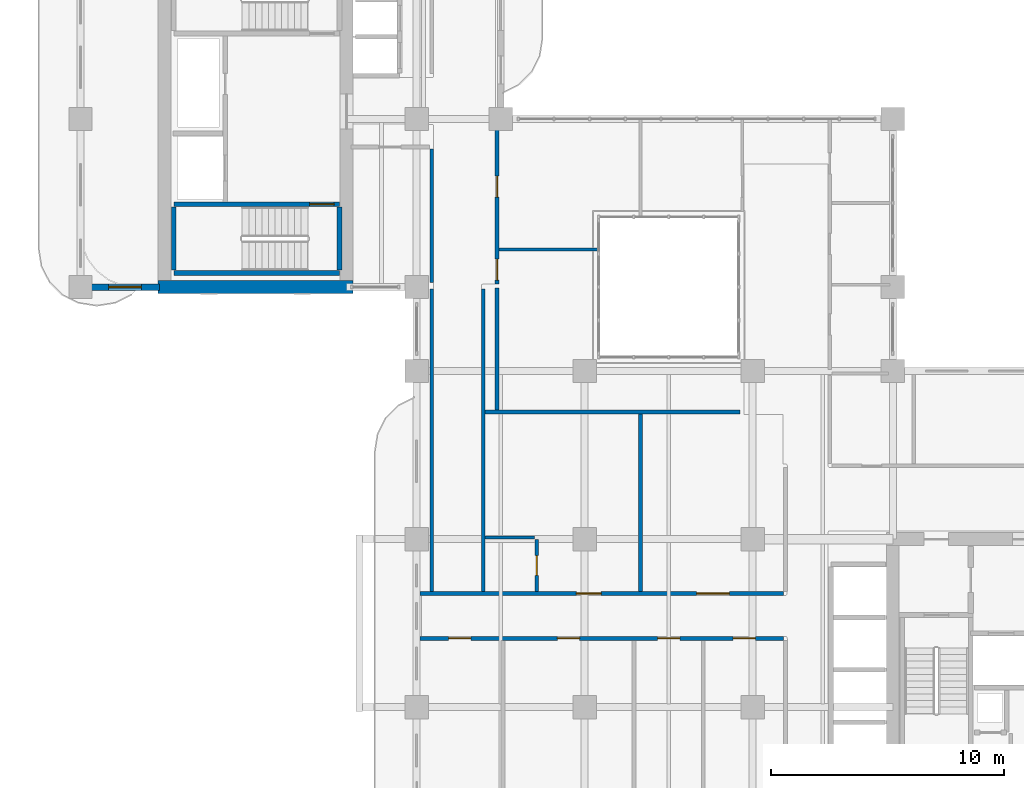
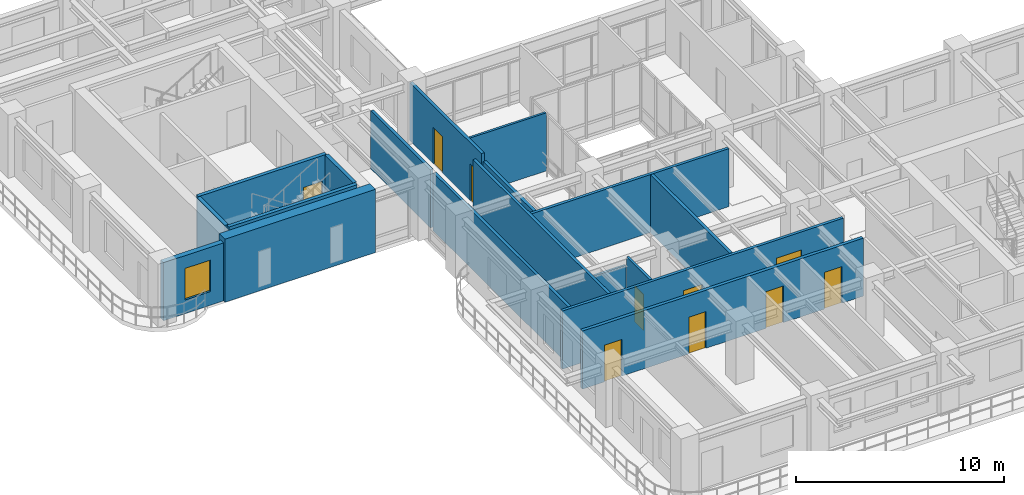
# One storey, part 11 of 21: 18 walls, 10 doors, 1 window, 11 openings.
"""IFC4 building model written with IfcOpenShell, lengths in metres."""

from ifc_helpers import new_model, si_unit, derived_unit, direction, frame, frame_2d, origin, place, context, subcontext, project, spatial, rectangle, extrude, source, transform, mapped, material, layer, layer_set, type_object, type_shapes, element, fill, save


model = new_model("IFC4")

# Units and contexts
model_context = context("Model", 3, precision=1e-05, world=origin(), true_north=direction((0.0, 1.0)))
body_context = subcontext(model_context, "Body", "Model", "MODEL_VIEW")
ifc_project = project(units=[si_unit("LENGTHUNIT", "METRE"), si_unit("AREAUNIT", "SQUARE_METRE"), si_unit("VOLUMEUNIT", "CUBIC_METRE"), si_unit("PLANEANGLEUNIT", "RADIAN"), si_unit("MASSUNIT", "GRAM", prefix="KILO"), si_unit("THERMODYNAMICTEMPERATUREUNIT", "KELVIN"), si_unit("POWERUNIT", "WATT"), derived_unit("THERMALTRANSMITTANCEUNIT", [(si_unit("POWERUNIT", "WATT"), 1), (si_unit("AREAUNIT", "SQUARE_METRE"), -1), (si_unit("THERMODYNAMICTEMPERATUREUNIT", "KELVIN"), -1)])], contexts=[model_context])

# Site, building, storey
site_placement = place(None, origin())
site = spatial("IfcSite", under=ifc_project, at=site_placement, CompositionType="ELEMENT")
building_placement = place(site_placement, origin())
building = spatial("IfcBuilding", under=site, at=building_placement, Name="Zahravan Archway Hotel and Residences", CompositionType="ELEMENT")
storey_placement = place(building_placement, frame((0.0, 0.0, 141.39990234375)))
storey = spatial("IfcBuildingStorey", under=building, at=storey_placement, Name="L35", CompositionType="ELEMENT", Elevation=141.39990234375)

# Wall
ifc_material_1 = material(Name="Concrete C70/85", Category="concrete")
ifc_layer_1 = layer(ifc_material_1, 0.550048828125, Name="Concrete C70/85", Category="concrete")
ifc_layer_set_1 = layer_set([ifc_layer_1], Name="Concrete C70/85")
wall_type_1 = type_object("IfcWallType", Name="CW-CORE-550", PredefinedType="SHEAR", material=ifc_layer_set_1)
wall_1_placement = place(storey_placement, frame((3.324951171875, 25.199951171875, 0.0), z_axis=(0.0, 0.0, 1.0), x_axis=(1.0, 0.0, 0.0)))
element("IfcWall", 1, at=wall_1_placement, inside=storey, type_object=wall_type_1, Name="L35 Core B Shear S Wall 550 mm", PredefinedType="SHEAR", context=body_context, shape_type="SweptSolid", body=[
    extrude(rectangle(XDim=8.35009765625, YDim=0.550048828125, at=frame_2d((4.175048828125, 0.0))), origin(), (0.0, 0.0, 1.0), 3.7001953125),
])

# Wall, opening, window
ifc_material_2 = material(Name="Honed Red-Ochre Sandstone & Insulated Block", Category="masonry")
ifc_layer_2 = layer(ifc_material_2, 0.280029296875, Name="Honed Red-Ochre Sandstone & Insulated Block", Category="masonry")
ifc_layer_set_2 = layer_set([ifc_layer_2], Name="Honed Red-Ochre Sandstone & Insulated Block")
wall_type_2 = type_object("IfcWallType", Name="EW-LOG-280", PredefinedType="SOLIDWALL", material=ifc_layer_set_2)
wall_2_placement = place(storey_placement, frame((0.0, 25.199951171875, 0.0), z_axis=(0.0, 0.0, 1.0), x_axis=(1.0, 0.0, 0.0)))
wall_2 = element("IfcWall", 2, at=wall_2_placement, inside=storey, type_object=wall_type_2, Name="L35 Exterior Sandstone Wall WB-SW", PredefinedType="SOLIDWALL", context=body_context, shape_type="SweptSolid", body=[
    extrude(rectangle(XDim=3.3798828125, YDim=0.280029296875, at=frame_2d((1.68994140625, 0.0))), origin(), (0.0, 0.0, 1.0), 3.400146484375),
])
opening_1_placement = place(wall_2_placement, frame((1.205078125, 0.0, 0.800048828125)))
opening_1 = element("IfcOpeningElement", 3, at=opening_1_placement, cuts=wall_2, Name="Opening W-03", PredefinedType="OPENING", context=body_context, shape_type="SweptSolid", body=[
    extrude(rectangle(XDim=1.39990234375, YDim=1.85009765625, at=frame_2d((0.699951171875, 0.925048828125))), frame((0.0, 0.14990234375, 0.0), z_axis=(0.0, -1.0, 0.0), x_axis=(1.0, 0.0, 0.0)), (0.0, 0.0, 1.0), 0.300048828125),
])
ifc_material_3 = material(Name="Bronze-Anodized Thermal-Break Aluminium & Low-E Glass", Category="aluminium")
window_type = type_object("IfcWindowType", Name="WIN-TWR-1400", PartitioningType="SINGLE_PANEL", PredefinedType="WINDOW", material=ifc_material_3)
shared_shape_1 = source(origin(), body_context, "Body", "SweptSolid", [
    extrude(rectangle(XDim=1.39990234375, YDim=1.85009765625, at=frame_2d((0.699951171875, 0.925048828125))), frame((0.0, 0.030029296875, 0.0), z_axis=(0.0, -1.0, 0.0), x_axis=(1.0, 0.0, 0.0)), (0.0, 0.0, 1.0), 0.06005859375),
])
type_shapes(window_type, [shared_shape_1])
window_placement = place(opening_1_placement, origin())
window = element("IfcWindow", 4, at=window_placement, inside=storey, type_object=window_type, Name="L35 Loggia Window 21", OverallHeight=1.85009765625, OverallWidth=1.39990234375, PartitioningType="SINGLE_PANEL", PredefinedType="WINDOW", context=body_context, shape_type="MappedRepresentation", body=[
    mapped(shared_shape_1, transform((0.0, 0.0, 0.0), scale=1.0)),
])
fill(opening_1, window)

# Wall, openings, doors
ifc_material_4 = material(Name="Fire-Rated Gypsum & Concrete Block", Category="concrete")
ifc_layer_3 = layer(ifc_material_4, 0.159912109375, Name="Fire-Rated Gypsum & Concrete Block", Category="concrete")
ifc_layer_set_3 = layer_set([ifc_layer_3], Name="Fire-Rated Gypsum & Concrete Block")
wall_type_3 = type_object("IfcWallType", Name="PW-CORR-160", PredefinedType="PARTITIONING", material=ifc_layer_set_3)
wall_3_placement = place(storey_placement, frame((14.548095703125, 12.070068359375, 0.0), z_axis=(0.0, 0.0, 1.0), x_axis=(1.0, 0.0, 0.0)))
wall_3 = element("IfcWall", 5, at=wall_3_placement, inside=storey, type_object=wall_type_3, Name="L35 Partition WA-CN", PredefinedType="PARTITIONING", context=body_context, shape_type="SweptSolid", body=[
    extrude(rectangle(XDim=15.56201171875, YDim=0.159912109375, at=frame_2d((7.781005859375, 0.0))), origin(), (0.0, 0.0, 1.0), 3.400146484375),
])
opening_2_placement = place(wall_3_placement, frame((6.701904296875, 0.0, 0.0)))
opening_2 = element("IfcOpeningElement", 6, at=opening_2_placement, cuts=wall_3, Name="Opening D-U1", PredefinedType="OPENING", context=body_context, shape_type="SweptSolid", body=[
    extrude(rectangle(XDim=1.050048828125, YDim=2.25, at=frame_2d((0.52490234375, 1.125))), frame((0.0, 0.08984375, 0.0), z_axis=(0.0, -1.0, 0.0), x_axis=(1.0, 0.0, 0.0)), (0.0, 0.0, 1.0), 0.179931640625),
])
opening_3_placement = place(wall_3_placement, frame((11.85205078125, 0.0, 0.0)))
opening_3 = element("IfcOpeningElement", 7, at=opening_3_placement, cuts=wall_3, Name="Opening D-P1", PredefinedType="OPENING", context=body_context, shape_type="SweptSolid", body=[
    extrude(rectangle(XDim=1.39990234375, YDim=2.35009765625, at=frame_2d((0.699951171875, 1.175048828125))), frame((0.0, 0.08984375, 0.0), z_axis=(0.0, -1.0, 0.0), x_axis=(1.0, 0.0, 0.0)), (0.0, 0.0, 1.0), 0.179931640625),
])
ifc_material_5 = material(Name="Bronze-Anodized Glazed Aluminium", Category="aluminium")
door_type_1 = type_object("IfcDoorType", Name="ID-PUBLIC-1400", OperationType="DOUBLE_DOOR_SINGLE_SWING", PredefinedType="DOOR", material=ifc_material_5)
shared_shape_2 = source(origin(), body_context, "Body", "SweptSolid", [
    extrude(rectangle(XDim=1.39990234375, YDim=2.35009765625, at=frame_2d((0.699951171875, 1.175048828125))), frame((0.0, 0.02490234375, 0.0), z_axis=(0.0, -1.0, 0.0), x_axis=(1.0, 0.0, 0.0)), (0.0, 0.0, 1.0), 0.050048828125),
])
type_shapes(door_type_1, [shared_shape_2])
door_1_placement = place(opening_3_placement, origin())
door_1 = element("IfcDoor", 8, at=door_1_placement, inside=storey, type_object=door_type_1, Name="L35 Atrium Dining Door", OperationType="DOUBLE_DOOR_SINGLE_SWING", OverallHeight=2.35009765625, OverallWidth=1.39990234375, PredefinedType="DOOR", context=body_context, shape_type="MappedRepresentation", body=[
    mapped(shared_shape_2, transform((0.0, 0.0, 0.0), scale=1.0)),
])
fill(opening_3, door_1)
ifc_material_6 = material(Name="Hardwood Veneer Timber", Category="wood")
door_type_2 = type_object("IfcDoorType", Name="ID-UNIT-1050", OperationType="NOTDEFINED", PredefinedType="DOOR", material=ifc_material_6)
shared_shape_3 = source(origin(), body_context, "Body", "SweptSolid", [
    extrude(rectangle(XDim=1.050048828125, YDim=2.25, at=frame_2d((0.52490234375, 1.125))), frame((0.0, 0.02490234375, 0.0), z_axis=(0.0, -1.0, 0.0), x_axis=(1.0, 0.0, 0.0)), (0.0, 0.0, 1.0), 0.050048828125),
])
type_shapes(door_type_2, [shared_shape_3])
door_2_placement = place(opening_2_placement, origin())
door_2 = element("IfcDoor", 9, at=door_2_placement, inside=storey, type_object=door_type_2, Name="L35 Hotel Guestroom 52 Entrance Door", OperationType="SINGLE_SWING_RIGHT", OverallHeight=2.25, OverallWidth=1.050048828125, PredefinedType="DOOR", context=body_context, shape_type="MappedRepresentation", body=[
    mapped(shared_shape_3, transform((0.0, 0.0, 0.0), scale=1.0)),
])
fill(opening_2, door_2)

# Walls
for number, where, z_axis, x_axis, name in (
    (10, (15.050048828125, 12.159912109375, 0.0), (0.0, 0.0, 1.0), (0.0, 1.0, 0.0), "L35 Partition LNK-W"),
    (11, (17.25, 12.159912109375, 0.0), (0.0, 0.0, 1.0), (0.0, 1.0, 0.0), "L35 Partition LNK-E"),
):
    element("IfcWall", number, at=place(storey_placement, frame(where, z_axis=z_axis, x_axis=x_axis)), inside=storey, type_object=wall_type_3, Name=name, PredefinedType="PARTITIONING", context=body_context, shape_type="SweptSolid", body=[
        extrude(rectangle(XDim=12.9501953125, YDim=0.159912109375, at=frame_2d((6.47509765625, 0.0))), origin(), (0.0, 0.0, 1.0), 3.400146484375),
    ])
wall_4_placement = place(storey_placement, frame((15.050048828125, 25.389892578125, 0.0), z_axis=(0.0, 0.0, 1.0), x_axis=(0.0, 1.0, 0.0)))
element("IfcWall", 12, at=wall_4_placement, inside=storey, type_object=wall_type_3, Name="L35 Partition FB1-E", PredefinedType="PARTITIONING", context=body_context, shape_type="SweptSolid", body=[
    extrude(rectangle(XDim=5.72021484375, YDim=0.159912109375, at=frame_2d((2.860107421875, 0.0))), origin(), (0.0, 0.0, 1.0), 3.400146484375),
])
wall_5_placement = place(storey_placement, frame((17.340087890625, 19.85009765625, 0.0), z_axis=(0.0, 0.0, 1.0), x_axis=(1.0, 0.0, 0.0)))
element("IfcWall", 13, at=wall_5_placement, inside=storey, type_object=wall_type_3, Name="L35 Partition ATR-S", PredefinedType="PARTITIONING", context=body_context, shape_type="SweptSolid", body=[
    extrude(rectangle(XDim=10.919921875, YDim=0.159912109375, at=frame_2d((5.4599609375, 0.0))), origin(), (0.0, 0.0, 1.0), 3.400146484375),
])

# Wall, openings, doors
ifc_layer_4 = layer(ifc_material_4, 0.179931640625, Name="Fire-Rated Gypsum & Concrete Block", Category="concrete")
ifc_layer_set_4 = layer_set([ifc_layer_4], Name="Fire-Rated Gypsum & Concrete Block")
wall_type_4 = type_object("IfcWallType", Name="PW-CORR-180", PredefinedType="PARTITIONING", material=ifc_layer_set_4)
wall_6_placement = place(storey_placement, frame((14.548095703125, 10.14990234375, 0.0), z_axis=(0.0, 0.0, 1.0), x_axis=(1.0, 0.0, 0.0)))
wall_6 = element("IfcWall", 14, at=wall_6_placement, inside=storey, type_object=wall_type_4, Name="L35 Partition WA-CS", PredefinedType="PARTITIONING", context=body_context, shape_type="SweptSolid", body=[
    extrude(rectangle(XDim=15.56201171875, YDim=0.179931640625, at=frame_2d((7.781005859375, 0.0))), origin(), (0.0, 0.0, 1.0), 3.400146484375),
])
opening_4_placement = place(wall_6_placement, frame((1.22705078125, 0.0, 0.0)))
opening_4 = element("IfcOpeningElement", 15, at=opening_4_placement, cuts=wall_6, Name="Opening D-I1", PredefinedType="OPENING", context=body_context, shape_type="SweptSolid", body=[
    extrude(rectangle(XDim=0.949951171875, YDim=2.14990234375, at=frame_2d((0.47509765625, 1.074951171875))), frame((0.0, 0.10009765625, 0.0), z_axis=(0.0, -1.0, 0.0), x_axis=(1.0, 0.0, 0.0)), (0.0, 0.0, 1.0), 0.199951171875),
])
opening_5_placement = place(wall_6_placement, frame((5.886962890625, 0.0, 0.0)))
opening_5 = element("IfcOpeningElement", 16, at=opening_5_placement, cuts=wall_6, Name="Opening D-I1", PredefinedType="OPENING", context=body_context, shape_type="SweptSolid", body=[
    extrude(rectangle(XDim=0.949951171875, YDim=2.14990234375, at=frame_2d((0.47509765625, 1.074951171875))), frame((0.0, 0.10009765625, 0.0), z_axis=(0.0, -1.0, 0.0), x_axis=(1.0, 0.0, 0.0)), (0.0, 0.0, 1.0), 0.199951171875),
])
opening_6_placement = place(wall_6_placement, frame((10.177001953125, 0.0, 0.0)))
opening_6 = element("IfcOpeningElement", 17, at=opening_6_placement, cuts=wall_6, Name="Opening D-I1", PredefinedType="OPENING", context=body_context, shape_type="SweptSolid", body=[
    extrude(rectangle(XDim=0.949951171875, YDim=2.14990234375, at=frame_2d((0.47509765625, 1.074951171875))), frame((0.0, 0.10009765625, 0.0), z_axis=(0.0, -1.0, 0.0), x_axis=(1.0, 0.0, 0.0)), (0.0, 0.0, 1.0), 0.199951171875),
])
opening_7_placement = place(wall_6_placement, frame((13.4169921875, 0.0, 0.0)))
opening_7 = element("IfcOpeningElement", 18, at=opening_7_placement, cuts=wall_6, Name="Opening D-I1", PredefinedType="OPENING", context=body_context, shape_type="SweptSolid", body=[
    extrude(rectangle(XDim=0.949951171875, YDim=2.14990234375, at=frame_2d((0.47509765625, 1.074951171875))), frame((0.0, 0.10009765625, 0.0), z_axis=(0.0, -1.0, 0.0), x_axis=(1.0, 0.0, 0.0)), (0.0, 0.0, 1.0), 0.199951171875),
])
door_type_3 = type_object("IfcDoorType", Name="ID-INT-950", OperationType="NOTDEFINED", PredefinedType="DOOR", material=ifc_material_6)
shared_shape_4 = source(origin(), body_context, "Body", "SweptSolid", [
    extrude(rectangle(XDim=0.949951171875, YDim=2.14990234375, at=frame_2d((0.47509765625, 1.074951171875))), frame((0.0, 0.02490234375, 0.0), z_axis=(0.0, -1.0, 0.0), x_axis=(1.0, 0.0, 0.0)), (0.0, 0.0, 1.0), 0.050048828125),
])
type_shapes(door_type_3, [shared_shape_4])
door_3_placement = place(opening_4_placement, origin())
door_3 = element("IfcDoor", 19, at=door_3_placement, inside=storey, type_object=door_type_3, Name="L35 Therapy Suite 1 Door", OperationType="SINGLE_SWING_RIGHT", OverallHeight=2.14990234375, OverallWidth=0.949951171875, PredefinedType="DOOR", context=body_context, shape_type="MappedRepresentation", body=[
    mapped(shared_shape_4, transform((0.0, 0.0, 0.0), scale=1.0)),
])
fill(opening_4, door_3)
door_4_placement = place(opening_5_placement, origin())
door_4 = element("IfcDoor", 20, at=door_4_placement, inside=storey, type_object=door_type_3, Name="L35 Therapy Suite 2 Door", OperationType="SINGLE_SWING_LEFT", OverallHeight=2.14990234375, OverallWidth=0.949951171875, PredefinedType="DOOR", context=body_context, shape_type="MappedRepresentation", body=[
    mapped(shared_shape_4, transform((0.0, 0.0, 0.0), scale=1.0)),
])
fill(opening_5, door_4)
door_5_placement = place(opening_6_placement, origin())
door_5 = element("IfcDoor", 21, at=door_5_placement, inside=storey, type_object=door_type_3, Name="L35 Wellness Clinic Door", OperationType="SINGLE_SWING_RIGHT", OverallHeight=2.14990234375, OverallWidth=0.949951171875, PredefinedType="DOOR", context=body_context, shape_type="MappedRepresentation", body=[
    mapped(shared_shape_4, transform((0.0, 0.0, 0.0), scale=1.0)),
])
fill(opening_6, door_5)
door_6_placement = place(opening_7_placement, origin())
door_6 = element("IfcDoor", 22, at=door_6_placement, inside=storey, type_object=door_type_3, Name="L35 Recovery Lounge Door", OperationType="SINGLE_SWING_LEFT", OverallHeight=2.14990234375, OverallWidth=0.949951171875, PredefinedType="DOOR", context=body_context, shape_type="MappedRepresentation", body=[
    mapped(shared_shape_4, transform((0.0, 0.0, 0.0), scale=1.0)),
])
fill(opening_7, door_6)

# Walls
ifc_material_7 = material(Name="Acoustic Stud Partition")
ifc_layer_5 = layer(ifc_material_7, 0.125, Name="Acoustic Stud Partition")
ifc_layer_set_5 = layer_set([ifc_layer_5], Name="Acoustic Stud Partition")
wall_type_5 = type_object("IfcWallType", Name="PW-INT-125", PredefinedType="PARTITIONING", material=ifc_layer_set_5)
wall_7_placement = place(storey_placement, frame((17.93994140625, 26.800048828125, 0.0), z_axis=(0.0, 0.0, 1.0), x_axis=(1.0, 0.0, 0.0)))
element("IfcWall", 23, at=wall_7_placement, inside=storey, type_object=wall_type_5, Name="L35 Partition ATR-NW3A", PredefinedType="PARTITIONING", context=body_context, shape_type="SweptSolid", body=[
    extrude(rectangle(XDim=4.232177734375, YDim=0.125, at=frame_2d((2.1162109375, 0.0))), origin(), (0.0, 0.0, 1.0), 3.400146484375),
])
ifc_layer_6 = layer(ifc_material_7, 0.169921875, Name="Acoustic Stud Partition")
ifc_layer_set_6 = layer_set([ifc_layer_6], Name="Acoustic Stud Partition")
wall_type_6 = type_object("IfcWallType", Name="PW-UNIT-170", PredefinedType="PARTITIONING", material=ifc_layer_set_6)
wall_8_placement = place(storey_placement, frame((17.85009765625, 19.93994140625, 0.0), z_axis=(0.0, 0.0, 1.0), x_axis=(0.0, 1.0, 0.0)))
element("IfcWall", 24, at=wall_8_placement, inside=storey, type_object=wall_type_6, Name="L35 Partition ATR-NWSL", PredefinedType="PARTITIONING", context=body_context, shape_type="SweptSolid", body=[
    extrude(rectangle(XDim=5.219970703125, YDim=0.169921875, at=frame_2d((2.60986328125, 0.0))), origin(), (0.0, 0.0, 1.0), 3.05517578125),
])

# Wall, openings, doors
wall_9_placement = place(storey_placement, frame((17.85009765625, 25.340087890625, 0.0), z_axis=(0.0, 0.0, 1.0), x_axis=(0.0, 1.0, 0.0)))
wall_9 = element("IfcWall", 25, at=wall_9_placement, inside=storey, type_object=wall_type_6, Name="L35 Partition ATR-W2", PredefinedType="PARTITIONING", context=body_context, shape_type="SweptSolid", body=[
    extrude(rectangle(XDim=6.869873046875, YDim=0.169921875, at=frame_2d((3.43505859375, 0.0))), origin(), (0.0, 0.0, 1.0), 3.400146484375),
])
opening_8_placement = place(wall_9_placement, frame((0.159912109375, 0.0, 0.0)))
opening_8 = element("IfcOpeningElement", 26, at=opening_8_placement, cuts=wall_9, Name="Opening D-I2", PredefinedType="OPENING", context=body_context, shape_type="SweptSolid", body=[
    extrude(rectangle(XDim=0.89990234375, YDim=2.14990234375, at=frame_2d((0.449951171875, 1.074951171875))), frame((0.0, 0.094970703125, 0.0), z_axis=(0.0, -1.0, 0.0), x_axis=(1.0, 0.0, 0.0)), (0.0, 0.0, 1.0), 0.18994140625),
])
opening_9_placement = place(wall_9_placement, frame((3.7099609375, 0.0, 0.0)))
opening_9 = element("IfcOpeningElement", 27, at=opening_9_placement, cuts=wall_9, Name="Opening D-I2", PredefinedType="OPENING", context=body_context, shape_type="SweptSolid", body=[
    extrude(rectangle(XDim=0.89990234375, YDim=2.14990234375, at=frame_2d((0.449951171875, 1.074951171875))), frame((0.0, 0.094970703125, 0.0), z_axis=(0.0, -1.0, 0.0), x_axis=(1.0, 0.0, 0.0)), (0.0, 0.0, 1.0), 0.18994140625),
])
door_type_4 = type_object("IfcDoorType", Name="ID-INT-900", OperationType="NOTDEFINED", PredefinedType="DOOR", material=ifc_material_6)
shared_shape_5 = source(origin(), body_context, "Body", "SweptSolid", [
    extrude(rectangle(XDim=0.89990234375, YDim=2.14990234375, at=frame_2d((0.449951171875, 1.074951171875))), frame((0.0, 0.02490234375, 0.0), z_axis=(0.0, -1.0, 0.0), x_axis=(1.0, 0.0, 0.0)), (0.0, 0.0, 1.0), 0.050048828125),
])
type_shapes(door_type_4, [shared_shape_5])
door_7_placement = place(opening_8_placement, origin())
door_7 = element("IfcDoor", 28, at=door_7_placement, inside=storey, type_object=door_type_4, Name="L35 Atrium SW Office Door", OperationType="SINGLE_SWING_LEFT", OverallHeight=2.14990234375, OverallWidth=0.89990234375, PredefinedType="DOOR", context=body_context, shape_type="MappedRepresentation", body=[
    mapped(shared_shape_5, transform((0.0, 0.0, 0.0), scale=1.0)),
])
fill(opening_8, door_7)
door_8_placement = place(opening_9_placement, origin())
door_8 = element("IfcDoor", 29, at=door_8_placement, inside=storey, type_object=door_type_4, Name="L35 Atrium NW Office Door", OperationType="SINGLE_SWING_RIGHT", OverallHeight=2.14990234375, OverallWidth=0.89990234375, PredefinedType="DOOR", context=body_context, shape_type="MappedRepresentation", body=[
    mapped(shared_shape_5, transform((0.0, 0.0, 0.0), scale=1.0)),
])
fill(opening_9, door_8)

# Wall
wall_10_placement = place(storey_placement, frame((24.0, 12.159912109375, 0.0), z_axis=(0.0, 0.0, 1.0), x_axis=(0.0, 1.0, 0.0)))
element("IfcWall", 30, at=wall_10_placement, inside=storey, type_object=wall_type_6, Name="L35 Partition ATN-3", PredefinedType="PARTITIONING", context=body_context, shape_type="SweptSolid", body=[
    extrude(rectangle(XDim=7.60009765625, YDim=0.169921875, at=frame_2d((3.800048828125, 0.0))), origin(), (0.0, 0.0, 1.0), 3.400146484375),
])

# Wall, opening, door
ifc_material_8 = material(Name="Moisture-Resistant Blockwork", Category="masonry")
ifc_layer_7 = layer(ifc_material_8, 0.139892578125, Name="Moisture-Resistant Blockwork", Category="masonry")
ifc_layer_set_7 = layer_set([ifc_layer_7], Name="Moisture-Resistant Blockwork")
wall_type_7 = type_object("IfcWallType", Name="PW-WET-140", PredefinedType="PARTITIONING", material=ifc_layer_set_7)
wall_11_placement = place(storey_placement, frame((19.550048828125, 12.159912109375, 0.0), z_axis=(0.0, 0.0, 1.0), x_axis=(0.0, 1.0, 0.0)))
wall_11 = element("IfcWall", 31, at=wall_11_placement, inside=storey, type_object=wall_type_7, Name="L35 Partition HKB-V52", PredefinedType="PARTITIONING", context=body_context, shape_type="SweptSolid", body=[
    extrude(rectangle(XDim=2.219970703125, YDim=0.139892578125, at=frame_2d((1.10986328125, 0.0))), origin(), (0.0, 0.0, 1.0), 3.400146484375),
])
opening_10_placement = place(wall_11_placement, frame((0.68505859375, 0.0, 0.0)))
opening_10 = element("IfcOpeningElement", 32, at=opening_10_placement, cuts=wall_11, Name="Opening D-B1", PredefinedType="OPENING", context=body_context, shape_type="SweptSolid", body=[
    extrude(rectangle(XDim=0.85009765625, YDim=2.10009765625, at=frame_2d((0.425048828125, 1.050048828125))), frame((0.0, 0.080078125, 0.0), z_axis=(0.0, -1.0, 0.0), x_axis=(1.0, 0.0, 0.0)), (0.0, 0.0, 1.0), 0.159912109375),
])
door_type_5 = type_object("IfcDoorType", Name="ID-BATH-850", OperationType="NOTDEFINED", PredefinedType="DOOR", material=ifc_material_6)
shared_shape_6 = source(origin(), body_context, "Body", "SweptSolid", [
    extrude(rectangle(XDim=0.85009765625, YDim=2.10009765625, at=frame_2d((0.425048828125, 1.050048828125))), frame((0.0, 0.02490234375, 0.0), z_axis=(0.0, -1.0, 0.0), x_axis=(1.0, 0.0, 0.0)), (0.0, 0.0, 1.0), 0.050048828125),
])
type_shapes(door_type_5, [shared_shape_6])
door_9_placement = place(opening_10_placement, origin())
door_9 = element("IfcDoor", 33, at=door_9_placement, inside=storey, type_object=door_type_5, Name="L35 Guestroom 52 En-Suite Door", OperationType="SINGLE_SWING_LEFT", OverallHeight=2.10009765625, OverallWidth=0.85009765625, PredefinedType="DOOR", context=body_context, shape_type="MappedRepresentation", body=[
    mapped(shared_shape_6, transform((0.0, 0.0, 0.0), scale=1.0)),
])
fill(opening_10, door_9)

# Walls
wall_12_placement = place(storey_placement, frame((17.340087890625, 14.469970703125, 0.0), z_axis=(0.0, 0.0, 1.0), x_axis=(1.0, 0.0, 0.0)))
element("IfcWall", 34, at=wall_12_placement, inside=storey, type_object=wall_type_7, Name="L35 Partition HKB-H52", PredefinedType="PARTITIONING", context=body_context, shape_type="SweptSolid", body=[
    extrude(rectangle(XDim=2.119873046875, YDim=0.139892578125, at=frame_2d((1.06005859375, 0.0))), origin(), (0.0, 0.0, 1.0), 2.885009765625),
])
ifc_material_9 = material(Name="Concrete C50/60", Category="concrete")
ifc_layer_8 = layer(ifc_material_9, 0.199951171875, Name="Concrete C50/60", Category="concrete")
ifc_layer_set_8 = layer_set([ifc_layer_8], Name="Concrete C50/60")
wall_type_8 = type_object("IfcWallType", Name="SW-STAIR-200", PredefinedType="SHEAR", material=ifc_layer_set_8)
wall_13_placement = place(storey_placement, frame((4.0, 25.800048828125, 0.0), z_axis=(0.0, 0.0, 1.0), x_axis=(1.0, 0.0, 0.0)))
element("IfcWall", 35, at=wall_13_placement, inside=storey, type_object=wall_type_8, Name="L35 Stairwell RC Wall CB-SB1S", PredefinedType="SHEAR", context=body_context, shape_type="SweptSolid", body=[
    extrude(rectangle(XDim=7.10009765625, YDim=0.199951171875, at=frame_2d((3.550048828125, 0.0))), origin(), (0.0, 0.0, 1.0), 3.7001953125),
])
for number, where, z_axis, x_axis, name in (
    (36, (4.0, 25.919921875, 0.0), (0.0, 0.0, 1.0), (0.0, 1.0, 0.0), "L35 Stairwell RC Wall CB-SB1W"),
    (37, (11.10009765625, 25.919921875, 0.0), (0.0, 0.0, 1.0), (0.0, 1.0, 0.0), "L35 Stairwell RC Wall CB-SB1E"),
):
    element("IfcWall", number, at=place(storey_placement, frame(where, z_axis=z_axis, x_axis=x_axis)), inside=storey, type_object=wall_type_8, Name=name, PredefinedType="SHEAR", context=body_context, shape_type="SweptSolid", body=[
        extrude(rectangle(XDim=2.7001953125, YDim=0.199951171875, at=frame_2d((1.35009765625, 0.0))), origin(), (0.0, 0.0, 1.0), 3.7001953125),
    ])

# Wall, opening, door
wall_14_placement = place(storey_placement, frame((4.0, 28.739990234375, 0.0), z_axis=(0.0, 0.0, 1.0), x_axis=(1.0, 0.0, 0.0)))
wall_14 = element("IfcWall", 38, at=wall_14_placement, inside=storey, type_object=wall_type_8, Name="L35 Stairwell RC Wall CB-SB1N", PredefinedType="SHEAR", context=body_context, shape_type="SweptSolid", body=[
    extrude(rectangle(XDim=7.10009765625, YDim=0.199951171875, at=frame_2d((3.550048828125, 0.0))), origin(), (0.0, 0.0, 1.0), 3.7001953125),
])
opening_11_placement = place(wall_14_placement, frame((5.81494140625, 0.0, 0.0)))
opening_11 = element("IfcOpeningElement", 39, at=opening_11_placement, cuts=wall_14, Name="Opening FD-S1", PredefinedType="OPENING", context=body_context, shape_type="SweptSolid", body=[
    extrude(rectangle(XDim=1.050048828125, YDim=2.199951171875, at=frame_2d((0.52490234375, 1.10009765625))), frame((0.0, 0.10986328125, 0.0), z_axis=(0.0, -1.0, 0.0), x_axis=(1.0, 0.0, 0.0)), (0.0, 0.0, 1.0), 0.219970703125),
])
ifc_material_10 = material(Name="Fire-Rated Painted Steel", Category="steel")
door_type_6 = type_object("IfcDoorType", Name="FD-STAIR-1100", OperationType="NOTDEFINED", PredefinedType="DOOR", material=ifc_material_10)
shared_shape_7 = source(origin(), body_context, "Body", "SweptSolid", [
    extrude(rectangle(XDim=1.050048828125, YDim=2.199951171875, at=frame_2d((0.52490234375, 1.10009765625))), frame((0.0, 0.02490234375, 0.0), z_axis=(0.0, -1.0, 0.0), x_axis=(1.0, 0.0, 0.0)), (0.0, 0.0, 1.0), 0.050048828125),
])
type_shapes(door_type_6, [shared_shape_7])
door_10_placement = place(opening_11_placement, origin())
door_10 = element("IfcDoor", 40, at=door_10_placement, inside=storey, type_object=door_type_6, Name="L35 Stair ST-B1 Door", OperationType="SINGLE_SWING_RIGHT", OverallHeight=2.199951171875, OverallWidth=1.050048828125, PredefinedType="DOOR", context=body_context, shape_type="MappedRepresentation", body=[
    mapped(shared_shape_7, transform((0.0, 0.0, 0.0), scale=1.0)),
])
fill(opening_11, door_10)

save(model, "model.ifc")
